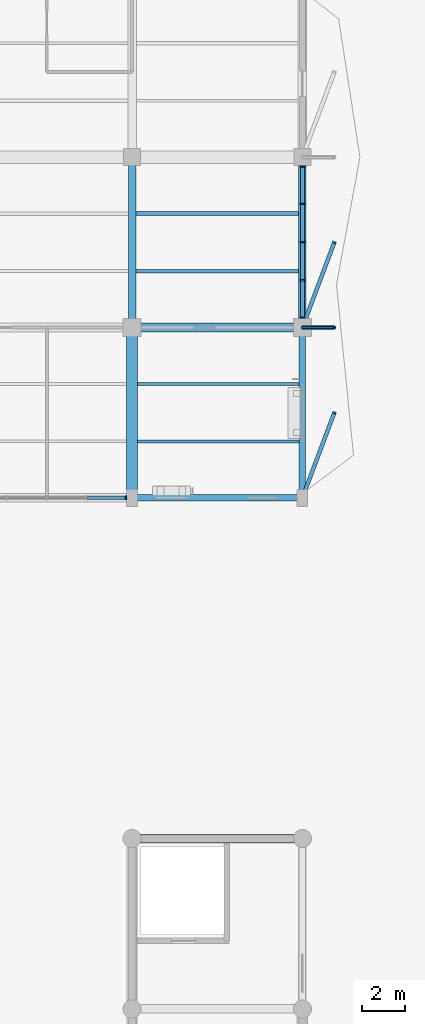
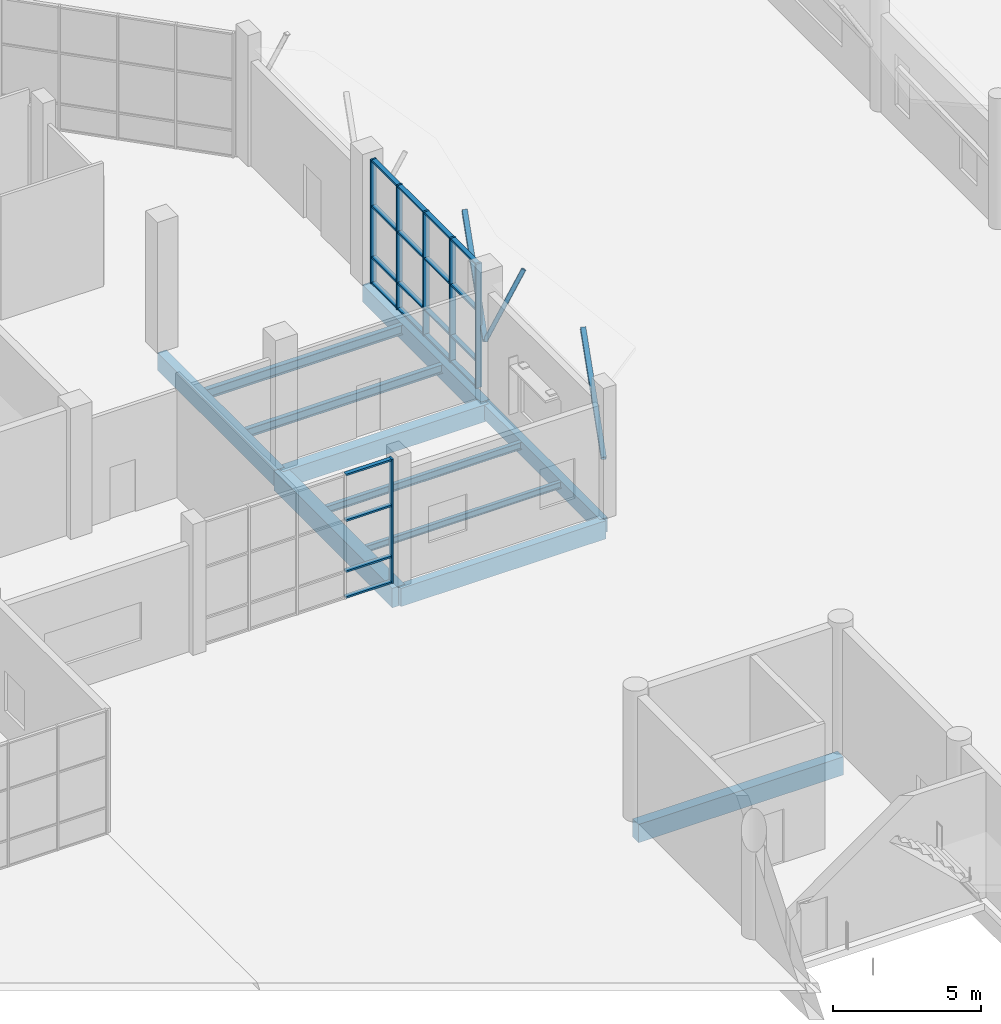
# One storey, part 43 of 123: 29 members, 11 beams, 2 elements without a shape of their own.
"""IFC4 building model written with IfcOpenShell, lengths in metres."""

from ifc_helpers import new_model, si_unit, direction, frame, origin, origin_2d, place, context, subcontext, project, spatial, rectangle, hollow_rectangle, hollow_circle, i_section, extrude, material, material_profile, profile_set, type_object, element, aggregate, save


model = new_model("IFC4")

# Units and contexts
model_context = context("Model", 3, precision=1e-05, world=origin(), true_north=direction((0.0, 1.0)))
body_context = subcontext(model_context, "Body", "Model", "MODEL_VIEW")
ifc_project = project(units=[si_unit("LENGTHUNIT", "METRE"), si_unit("AREAUNIT", "SQUARE_METRE"), si_unit("VOLUMEUNIT", "CUBIC_METRE"), si_unit("PLANEANGLEUNIT", "RADIAN"), si_unit("MASSUNIT", "GRAM", prefix="KILO")], contexts=[model_context])

# Site, building, storey
site_placement = place(None, origin())
site = spatial("IfcSite", under=ifc_project, at=site_placement, CompositionType="ELEMENT")
building_placement = place(site_placement, origin())
building = spatial("IfcBuilding", under=site, at=building_placement, Name="Tenunan Teduh Sports Hall", CompositionType="ELEMENT")
storey_placement = place(building_placement, origin())
storey = spatial("IfcBuildingStorey", under=building, at=storey_placement, Name="L00", CompositionType="ELEMENT", Elevation=0.0)

# Beams
ifc_material_1 = material(Name="Concrete C40/50", Category="concrete")
ifc_material_profile_1 = material_profile(ifc_material_1, rectangle(XDim=0.300048828125, YDim=0.60009765625, at=origin_2d()), Name="RCB 300x600")
ifc_profile_set_1 = profile_set([ifc_material_profile_1], Name="Concrete C40/50")
beam_type_1 = type_object("IfcBeamType", Name="BM-RC-300x600", PredefinedType="BEAM", material=ifc_profile_set_1)
beam_1_placement = place(storey_placement, frame((78.0, 86.0, -0.580078125), z_axis=(0.0, 1.0, 0.0), x_axis=(-1.0, 0.0, 0.0)))
element("IfcBeam", 1, at=beam_1_placement, inside=storey, type_object=beam_type_1, Name="BM-B-03-L00-0825", PredefinedType="BEAM", context=body_context, shape_type="SweptSolid", body=[
    extrude(rectangle(XDim=0.300048828125, YDim=0.60009765625, at=origin_2d()), origin(), (0.0, 0.0, 1.0), 8.0),
])
ifc_material_2 = material(Name="Concrete C40/50", Category="concrete")
ifc_material_profile_2 = material_profile(ifc_material_2, rectangle(XDim=0.35009765625, YDim=0.699951171875, at=origin_2d()), Name="RCB 350x700")
ifc_profile_set_2 = profile_set([ifc_material_profile_2], Name="Concrete C40/50")
beam_type_2 = type_object("IfcBeamType", Name="BM-RC-350x700", PredefinedType="BEAM", material=ifc_profile_set_2)
beam_2_placement = place(storey_placement, frame((78.0, 94.0, -0.6298828125), z_axis=(0.0, 1.0, 0.0), x_axis=(-1.0, 0.0, 0.0)))
element("IfcBeam", 2, at=beam_2_placement, inside=storey, type_object=beam_type_2, Name="BM-B-06-L00-0826", PredefinedType="BEAM", context=body_context, shape_type="SweptSolid", body=[
    extrude(rectangle(XDim=0.35009765625, YDim=0.699951171875, at=origin_2d()), origin(), (0.0, 0.0, 1.0), 8.0),
])
ifc_material_3 = material(Name="Concrete C40/50", Category="concrete")
ifc_material_profile_3 = material_profile(ifc_material_3, rectangle(XDim=0.39990234375, YDim=0.699951171875, at=origin_2d()), Name="RCB 400x700")
ifc_profile_set_3 = profile_set([ifc_material_profile_3], Name="Concrete C40/50")
beam_type_3 = type_object("IfcBeamType", Name="BM-RC-400x700", PredefinedType="BEAM", material=ifc_profile_set_3)
beam_3_placement = place(storey_placement, frame((70.0, 94.0, -0.6298828125), z_axis=(1.0, 0.0, 0.0), x_axis=(0.0, 1.0, 0.0)))
element("IfcBeam", 3, at=beam_3_placement, inside=storey, type_object=beam_type_3, Name="BM-B-08-L00-0707", PredefinedType="BEAM", context=body_context, shape_type="SweptSolid", body=[
    extrude(rectangle(XDim=0.39990234375, YDim=0.699951171875, at=origin_2d()), origin(), (0.0, 0.0, 1.0), 8.0),
])
ifc_material_4 = material(Name="Concrete C40/50", Category="concrete")
ifc_material_profile_4 = material_profile(ifc_material_4, rectangle(XDim=0.39990234375, YDim=0.75, at=origin_2d()), Name="RCB 400x750")
ifc_profile_set_4 = profile_set([ifc_material_profile_4], Name="Concrete C40/50")
beam_type_4 = type_object("IfcBeamType", Name="BM-RC-400x750", PredefinedType="BEAM", material=ifc_profile_set_4)
beam_4_placement = place(storey_placement, frame((70.0, 70.0, -0.655029296875), z_axis=(1.0, 0.0, 0.0), x_axis=(0.0, 1.0, 0.0)))
element("IfcBeam", 4, at=beam_4_placement, inside=storey, type_object=beam_type_4, Name="BM-B-09-L00-0671", PredefinedType="BEAM", context=body_context, shape_type="SweptSolid", body=[
    extrude(rectangle(XDim=0.39990234375, YDim=0.75, at=origin_2d()), origin(), (0.0, 0.0, 1.0), 8.0),
])
ifc_material_5 = material(Name="Concrete C40/50", Category="concrete")
ifc_material_profile_5 = material_profile(ifc_material_5, rectangle(XDim=0.5, YDim=0.800048828125, at=origin_2d()), Name="RCB 500x800")
ifc_profile_set_5 = profile_set([ifc_material_profile_5], Name="Concrete C40/50")
beam_type_5 = type_object("IfcBeamType", Name="BM-RC-500x800", PredefinedType="BEAM", material=ifc_profile_set_5)
beam_5_placement = place(storey_placement, frame((70.0, 86.0, -0.679931640625), z_axis=(0.0, 1.0, 0.0), x_axis=(-1.0, 0.0, 0.0)))
element("IfcBeam", 5, at=beam_5_placement, inside=storey, type_object=beam_type_5, Name="BM-B-14-L00-0817", PredefinedType="BEAM", context=body_context, shape_type="SweptSolid", body=[
    extrude(rectangle(XDim=0.5, YDim=0.800048828125, at=origin_2d()), origin(), (0.0, 0.0, 1.0), 8.0),
])
ifc_material_6 = material(Name="Concrete C40/50", Category="concrete")
ifc_material_profile_6 = material_profile(ifc_material_6, rectangle(XDim=0.300048828125, YDim=0.75, at=origin_2d()), Name="SPB 300x750")
ifc_profile_set_6 = profile_set([ifc_material_profile_6], Name="Concrete C40/50")
beam_type_6 = type_object("IfcBeamType", Name="BM-SP-300x750", PredefinedType="SPANDREL", material=ifc_profile_set_6)
beam_6_placement = place(storey_placement, frame((70.0, 86.0, -0.655029296875), z_axis=(1.0, 0.0, 0.0), x_axis=(0.0, 1.0, 0.0)))
element("IfcBeam", 6, at=beam_6_placement, inside=storey, type_object=beam_type_6, Name="BM-SP-01-L00-0691", PredefinedType="SPANDREL", context=body_context, shape_type="SweptSolid", body=[
    extrude(rectangle(XDim=0.300048828125, YDim=0.75, at=origin_2d()), origin(), (0.0, 0.0, 1.0), 8.0),
])
ifc_material_7 = material(Name="Concrete C40/50", Category="concrete")
ifc_material_profile_7 = material_profile(ifc_material_7, rectangle(XDim=0.35009765625, YDim=0.719970703125, at=origin_2d()), Name="TB 350x720")
ifc_profile_set_7 = profile_set([ifc_material_profile_7], Name="Concrete C40/50")
beam_type_7 = type_object("IfcBeamType", Name="BM-TB-350x720", PredefinedType="T_BEAM", material=ifc_profile_set_7)
beam_7_placement = place(storey_placement, frame((70.0, 94.0, -0.639892578125), z_axis=(0.0, 1.0, 0.0), x_axis=(-1.0, 0.0, 0.0)))
element("IfcBeam", 7, at=beam_7_placement, inside=storey, type_object=beam_type_7, Name="BM-TB-01-L00-0818", PredefinedType="T_BEAM", context=body_context, shape_type="SweptSolid", body=[
    extrude(rectangle(XDim=0.35009765625, YDim=0.719970703125, at=origin_2d()), origin(), (0.0, 0.0, 1.0), 8.0),
])

# Curtain wall, member
ifc_material_8 = material(Name="Anodised aluminium", Category="aluminium")
curtain_wall_type = type_object("IfcCurtainWallType", Name="CW-UNIT-1", PredefinedType="NOTDEFINED", material=ifc_material_8)
curtain_wall_1_placement = place(storey_placement, origin())
curtain_wall_1 = element("IfcCurtainWall", 8, at=curtain_wall_1_placement, inside=storey, type_object=curtain_wall_type, Name="CW-CWM-200-L00-192", PredefinedType="NOTDEFINED")
ifc_material_9 = material(Name="Anodised aluminium", Category="aluminium")
ifc_material_profile_8 = material_profile(ifc_material_9, rectangle(XDim=0.070068359375, YDim=0.199951171875, at=origin_2d()), Name="CWM 70x200")
ifc_profile_set_8 = profile_set([ifc_material_profile_8], Name="Anodised aluminium")
member_type_1 = type_object("IfcMemberType", Name="CWM-200", PredefinedType="MULLION", material=ifc_profile_set_8)
member_1_placement = place(storey_placement, frame((69.715087890625, 86.0, 0.0), z_axis=(0.0, 0.0, 1.0), x_axis=(1.0, 0.0, 0.0)))
member_1 = element("IfcMember", 9, at=member_1_placement, type_object=member_type_1, Name="CW-01 mullion 5", PredefinedType="MULLION", context=body_context, shape_type="SweptSolid", body=[
    extrude(rectangle(XDim=0.070068359375, YDim=0.199951171875, at=origin_2d()), origin(), (0.0, 0.0, 1.0), 5.1201171875),
])

# Curtain wall, members
curtain_wall_2_placement = place(storey_placement, origin())
curtain_wall_2 = element("IfcCurtainWall", 10, at=curtain_wall_2_placement, inside=storey, type_object=curtain_wall_type, Name="CW-CWM-220-L00-193", PredefinedType="NOTDEFINED")
ifc_material_10 = material(Name="Anodised aluminium", Category="aluminium")
ifc_material_profile_9 = material_profile(ifc_material_10, rectangle(XDim=0.074951171875, YDim=0.219970703125, at=origin_2d()), Name="CWM 75x220")
ifc_profile_set_9 = profile_set([ifc_material_profile_9], Name="Anodised aluminium")
member_type_2 = type_object("IfcMemberType", Name="CWM-220", PredefinedType="MULLION", material=ifc_profile_set_9)
member_2_placement = place(storey_placement, frame((78.0, 94.46240234375, 0.0), z_axis=(0.0, 0.0, 1.0), x_axis=(0.0, 1.0, 0.0)))
member_2 = element("IfcMember", 11, at=member_2_placement, type_object=member_type_2, Name="CW-01 mullion 1", PredefinedType="MULLION", context=body_context, shape_type="SweptSolid", body=[
    extrude(rectangle(XDim=0.074951171875, YDim=0.219970703125, at=origin_2d()), origin(), (0.0, 0.0, 1.0), 5.1201171875),
])
member_3_placement = place(storey_placement, frame((78.0, 96.21875, 0.0), z_axis=(0.0, 0.0, 1.0), x_axis=(0.0, 1.0, 0.0)))
member_3 = element("IfcMember", 12, at=member_3_placement, type_object=member_type_2, Name="CW-01 mullion 2", PredefinedType="MULLION", context=body_context, shape_type="SweptSolid", body=[
    extrude(rectangle(XDim=0.074951171875, YDim=0.219970703125, at=origin_2d()), origin(), (0.0, 0.0, 1.0), 5.1201171875),
])
member_4_placement = place(storey_placement, frame((78.0, 98.012451171875, 0.0), z_axis=(0.0, 0.0, 1.0), x_axis=(0.0, 1.0, 0.0)))
member_4 = element("IfcMember", 13, at=member_4_placement, type_object=member_type_2, Name="CW-01 mullion 3", PredefinedType="MULLION", context=body_context, shape_type="SweptSolid", body=[
    extrude(rectangle(XDim=0.074951171875, YDim=0.219970703125, at=origin_2d()), origin(), (0.0, 0.0, 1.0), 5.1201171875),
])
member_5_placement = place(storey_placement, frame((78.0, 99.80615234375, 0.0), z_axis=(0.0, 0.0, 1.0), x_axis=(0.0, 1.0, 0.0)))
member_5 = element("IfcMember", 14, at=member_5_placement, type_object=member_type_2, Name="CW-01 mullion 4", PredefinedType="MULLION", context=body_context, shape_type="SweptSolid", body=[
    extrude(rectangle(XDim=0.074951171875, YDim=0.219970703125, at=origin_2d()), origin(), (0.0, 0.0, 1.0), 5.1201171875),
])
member_6_placement = place(storey_placement, frame((78.0, 101.5625, 0.0), z_axis=(0.0, 0.0, 1.0), x_axis=(0.0, 1.0, 0.0)))
member_6 = element("IfcMember", 15, at=member_6_placement, type_object=member_type_2, Name="CW-01 mullion 5", PredefinedType="MULLION", context=body_context, shape_type="SweptSolid", body=[
    extrude(rectangle(XDim=0.074951171875, YDim=0.219970703125, at=origin_2d()), origin(), (0.0, 0.0, 1.0), 5.1201171875),
])
ifc_material_11 = material(Name="Anodised aluminium", Category="aluminium")
ifc_material_profile_10 = material_profile(ifc_material_11, rectangle(XDim=0.074951171875, YDim=0.179931640625, at=origin_2d()), Name="CWT 75x180")
ifc_profile_set_10 = profile_set([ifc_material_profile_10], Name="Anodised aluminium")
member_type_3 = type_object("IfcMemberType", Name="CWT-180", PredefinedType="USERDEFINED", material=ifc_profile_set_10)
member_7_placement = place(storey_placement, frame((78.0, 94.5, 0.03759765625), z_axis=(0.0, 1.0, 0.0), x_axis=(0.0, 0.0, 1.0)))
member_7 = element("IfcMember", 16, at=member_7_placement, type_object=member_type_3, Name="CW-01 transom 1.1", ObjectType="TRANSOM", PredefinedType="USERDEFINED", context=body_context, shape_type="SweptSolid", body=[
    extrude(rectangle(XDim=0.074951171875, YDim=0.179931640625, at=origin_2d()), origin(), (0.0, 0.0, 1.0), 1.68115234375),
])
member_8_placement = place(storey_placement, frame((78.0, 94.5, 1.10009765625), z_axis=(0.0, 1.0, 0.0), x_axis=(0.0, 0.0, 1.0)))
member_8 = element("IfcMember", 17, at=member_8_placement, type_object=member_type_3, Name="CW-01 transom 1.2", ObjectType="TRANSOM", PredefinedType="USERDEFINED", context=body_context, shape_type="SweptSolid", body=[
    extrude(rectangle(XDim=0.074951171875, YDim=0.179931640625, at=origin_2d()), origin(), (0.0, 0.0, 1.0), 1.68115234375),
])
member_9_placement = place(storey_placement, frame((78.0, 94.5, 3.199951171875), z_axis=(0.0, 1.0, 0.0), x_axis=(0.0, 0.0, 1.0)))
member_9 = element("IfcMember", 18, at=member_9_placement, type_object=member_type_3, Name="CW-01 transom 1.3", ObjectType="TRANSOM", PredefinedType="USERDEFINED", context=body_context, shape_type="SweptSolid", body=[
    extrude(rectangle(XDim=0.074951171875, YDim=0.179931640625, at=origin_2d()), origin(), (0.0, 0.0, 1.0), 1.68115234375),
])
member_10_placement = place(storey_placement, frame((78.0, 94.5, 5.08251953125), z_axis=(0.0, 1.0, 0.0), x_axis=(0.0, 0.0, 1.0)))
member_10 = element("IfcMember", 19, at=member_10_placement, type_object=member_type_3, Name="CW-01 transom 1.4", ObjectType="TRANSOM", PredefinedType="USERDEFINED", context=body_context, shape_type="SweptSolid", body=[
    extrude(rectangle(XDim=0.074951171875, YDim=0.179931640625, at=origin_2d()), origin(), (0.0, 0.0, 1.0), 1.68115234375),
])
member_11_placement = place(storey_placement, frame((78.0, 96.25634765625, 0.03759765625), z_axis=(0.0, 1.0, 0.0), x_axis=(0.0, 0.0, 1.0)))
member_11 = element("IfcMember", 20, at=member_11_placement, type_object=member_type_3, Name="CW-01 transom 2.1", ObjectType="TRANSOM", PredefinedType="USERDEFINED", context=body_context, shape_type="SweptSolid", body=[
    extrude(rectangle(XDim=0.074951171875, YDim=0.179931640625, at=origin_2d()), origin(), (0.0, 0.0, 1.0), 1.71875),
])
member_12_placement = place(storey_placement, frame((78.0, 96.25634765625, 1.10009765625), z_axis=(0.0, 1.0, 0.0), x_axis=(0.0, 0.0, 1.0)))
member_12 = element("IfcMember", 21, at=member_12_placement, type_object=member_type_3, Name="CW-01 transom 2.2", ObjectType="TRANSOM", PredefinedType="USERDEFINED", context=body_context, shape_type="SweptSolid", body=[
    extrude(rectangle(XDim=0.074951171875, YDim=0.179931640625, at=origin_2d()), origin(), (0.0, 0.0, 1.0), 1.71875),
])
member_13_placement = place(storey_placement, frame((78.0, 96.25634765625, 3.199951171875), z_axis=(0.0, 1.0, 0.0), x_axis=(0.0, 0.0, 1.0)))
member_13 = element("IfcMember", 22, at=member_13_placement, type_object=member_type_3, Name="CW-01 transom 2.3", ObjectType="TRANSOM", PredefinedType="USERDEFINED", context=body_context, shape_type="SweptSolid", body=[
    extrude(rectangle(XDim=0.074951171875, YDim=0.179931640625, at=origin_2d()), origin(), (0.0, 0.0, 1.0), 1.71875),
])
member_14_placement = place(storey_placement, frame((78.0, 96.25634765625, 5.08251953125), z_axis=(0.0, 1.0, 0.0), x_axis=(0.0, 0.0, 1.0)))
member_14 = element("IfcMember", 23, at=member_14_placement, type_object=member_type_3, Name="CW-01 transom 2.4", ObjectType="TRANSOM", PredefinedType="USERDEFINED", context=body_context, shape_type="SweptSolid", body=[
    extrude(rectangle(XDim=0.074951171875, YDim=0.179931640625, at=origin_2d()), origin(), (0.0, 0.0, 1.0), 1.71875),
])
member_15_placement = place(storey_placement, frame((78.0, 98.050048828125, 0.03759765625), z_axis=(0.0, 1.0, 0.0), x_axis=(0.0, 0.0, 1.0)))
member_15 = element("IfcMember", 24, at=member_15_placement, type_object=member_type_3, Name="CW-01 transom 3.1", ObjectType="TRANSOM", PredefinedType="USERDEFINED", context=body_context, shape_type="SweptSolid", body=[
    extrude(rectangle(XDim=0.074951171875, YDim=0.179931640625, at=origin_2d()), origin(), (0.0, 0.0, 1.0), 1.71875),
])
member_16_placement = place(storey_placement, frame((78.0, 98.050048828125, 1.10009765625), z_axis=(0.0, 1.0, 0.0), x_axis=(0.0, 0.0, 1.0)))
member_16 = element("IfcMember", 25, at=member_16_placement, type_object=member_type_3, Name="CW-01 transom 3.2", ObjectType="TRANSOM", PredefinedType="USERDEFINED", context=body_context, shape_type="SweptSolid", body=[
    extrude(rectangle(XDim=0.074951171875, YDim=0.179931640625, at=origin_2d()), origin(), (0.0, 0.0, 1.0), 1.71875),
])
member_17_placement = place(storey_placement, frame((78.0, 98.050048828125, 3.199951171875), z_axis=(0.0, 1.0, 0.0), x_axis=(0.0, 0.0, 1.0)))
member_17 = element("IfcMember", 26, at=member_17_placement, type_object=member_type_3, Name="CW-01 transom 3.3", ObjectType="TRANSOM", PredefinedType="USERDEFINED", context=body_context, shape_type="SweptSolid", body=[
    extrude(rectangle(XDim=0.074951171875, YDim=0.179931640625, at=origin_2d()), origin(), (0.0, 0.0, 1.0), 1.71875),
])
member_18_placement = place(storey_placement, frame((78.0, 98.050048828125, 5.08251953125), z_axis=(0.0, 1.0, 0.0), x_axis=(0.0, 0.0, 1.0)))
member_18 = element("IfcMember", 27, at=member_18_placement, type_object=member_type_3, Name="CW-01 transom 3.4", ObjectType="TRANSOM", PredefinedType="USERDEFINED", context=body_context, shape_type="SweptSolid", body=[
    extrude(rectangle(XDim=0.074951171875, YDim=0.179931640625, at=origin_2d()), origin(), (0.0, 0.0, 1.0), 1.71875),
])
member_19_placement = place(storey_placement, frame((78.0, 99.84375, 0.03759765625), z_axis=(0.0, 1.0, 0.0), x_axis=(0.0, 0.0, 1.0)))
member_19 = element("IfcMember", 28, at=member_19_placement, type_object=member_type_3, Name="CW-01 transom 4.1", ObjectType="TRANSOM", PredefinedType="USERDEFINED", context=body_context, shape_type="SweptSolid", body=[
    extrude(rectangle(XDim=0.074951171875, YDim=0.179931640625, at=origin_2d()), origin(), (0.0, 0.0, 1.0), 1.68115234375),
])
member_20_placement = place(storey_placement, frame((78.0, 99.84375, 1.10009765625), z_axis=(0.0, 1.0, 0.0), x_axis=(0.0, 0.0, 1.0)))
member_20 = element("IfcMember", 29, at=member_20_placement, type_object=member_type_3, Name="CW-01 transom 4.2", ObjectType="TRANSOM", PredefinedType="USERDEFINED", context=body_context, shape_type="SweptSolid", body=[
    extrude(rectangle(XDim=0.074951171875, YDim=0.179931640625, at=origin_2d()), origin(), (0.0, 0.0, 1.0), 1.68115234375),
])
member_21_placement = place(storey_placement, frame((78.0, 99.84375, 3.199951171875), z_axis=(0.0, 1.0, 0.0), x_axis=(0.0, 0.0, 1.0)))
member_21 = element("IfcMember", 30, at=member_21_placement, type_object=member_type_3, Name="CW-01 transom 4.3", ObjectType="TRANSOM", PredefinedType="USERDEFINED", context=body_context, shape_type="SweptSolid", body=[
    extrude(rectangle(XDim=0.074951171875, YDim=0.179931640625, at=origin_2d()), origin(), (0.0, 0.0, 1.0), 1.68115234375),
])
member_22_placement = place(storey_placement, frame((78.0, 99.84375, 5.08251953125), z_axis=(0.0, 1.0, 0.0), x_axis=(0.0, 0.0, 1.0)))
member_22 = element("IfcMember", 31, at=member_22_placement, type_object=member_type_3, Name="CW-01 transom 4.4", ObjectType="TRANSOM", PredefinedType="USERDEFINED", context=body_context, shape_type="SweptSolid", body=[
    extrude(rectangle(XDim=0.074951171875, YDim=0.179931640625, at=origin_2d()), origin(), (0.0, 0.0, 1.0), 1.68115234375),
])
aggregate(curtain_wall_2, [member_2, member_3, member_4, member_5, member_6, member_7, member_8, member_9, member_10, member_11, member_12, member_13, member_14, member_15, member_16, member_17, member_18, member_19, member_20, member_21, member_22])

# Member
ifc_material_12 = material(Name="Anodised aluminium", Category="aluminium")
ifc_material_profile_11 = material_profile(ifc_material_12, rectangle(XDim=0.070068359375, YDim=0.159912109375, at=origin_2d()), Name="CWT 70x160")
ifc_profile_set_11 = profile_set([ifc_material_profile_11], Name="Anodised aluminium")
member_type_4 = type_object("IfcMemberType", Name="CWT-200", PredefinedType="USERDEFINED", material=ifc_profile_set_11)
member_23_placement = place(storey_placement, frame((67.909912109375, 86.0, 0.034912109375), z_axis=(1.0, 0.0, 0.0), x_axis=(0.0, 0.0, 1.0)))
member_23 = element("IfcMember", 32, at=member_23_placement, type_object=member_type_4, Name="CW-01 transom 4.1", ObjectType="TRANSOM", PredefinedType="USERDEFINED", context=body_context, shape_type="SweptSolid", body=[
    extrude(rectangle(XDim=0.070068359375, YDim=0.159912109375, at=origin_2d()), origin(), (0.0, 0.0, 1.0), 1.77001953125),
])

member_24_placement = place(storey_placement, frame((67.909912109375, 86.0, 1.10009765625), z_axis=(1.0, 0.0, 0.0), x_axis=(0.0, 0.0, 1.0)))
member_24 = element("IfcMember", 33, at=member_24_placement, type_object=member_type_4, Name="CW-01 transom 4.2", ObjectType="TRANSOM", PredefinedType="USERDEFINED", context=body_context, shape_type="SweptSolid", body=[
    extrude(rectangle(XDim=0.070068359375, YDim=0.159912109375, at=origin_2d()), origin(), (0.0, 0.0, 1.0), 1.77001953125),
])

member_25_placement = place(storey_placement, frame((67.909912109375, 86.0, 3.199951171875), z_axis=(1.0, 0.0, 0.0), x_axis=(0.0, 0.0, 1.0)))
member_25 = element("IfcMember", 34, at=member_25_placement, type_object=member_type_4, Name="CW-01 transom 4.3", ObjectType="TRANSOM", PredefinedType="USERDEFINED", context=body_context, shape_type="SweptSolid", body=[
    extrude(rectangle(XDim=0.070068359375, YDim=0.159912109375, at=origin_2d()), origin(), (0.0, 0.0, 1.0), 1.77001953125),
])

member_26_placement = place(storey_placement, frame((67.909912109375, 86.0, 5.0849609375), z_axis=(1.0, 0.0, 0.0), x_axis=(0.0, 0.0, 1.0)))
member_26 = element("IfcMember", 35, at=member_26_placement, type_object=member_type_4, Name="CW-01 transom 4.4", ObjectType="TRANSOM", PredefinedType="USERDEFINED", context=body_context, shape_type="SweptSolid", body=[
    extrude(rectangle(XDim=0.070068359375, YDim=0.159912109375, at=origin_2d()), origin(), (0.0, 0.0, 1.0), 1.77001953125),
])

aggregate(curtain_wall_1, [member_1, member_23, member_24, member_25, member_26])

# Beams
ifc_material_13 = material(Name="Steel S355", Category="steel")
ifc_material_profile_12 = material_profile(ifc_material_13, i_section(OverallWidth=0.135009765625, OverallDepth=0.27001953125, WebThickness=0.006591796875, FlangeThickness=0.01025390625, FilletRadius=0.014892578125, at=origin_2d()), Name="IPE 270")
ifc_profile_set_12 = profile_set([ifc_material_profile_12], Name="Steel S355")
beam_type_8 = type_object("IfcBeamType", Name="JST-IPE270", PredefinedType="JOIST", material=ifc_profile_set_12)
beam_8_placement = place(storey_placement, frame((70.25, 88.64990234375, -0.4150390625), z_axis=(1.0, 0.0, 0.0), x_axis=(0.0, 1.0, 0.0)))
element("IfcBeam", 36, at=beam_8_placement, inside=storey, type_object=beam_type_8, Name="BM-J-03-L00-0970", PredefinedType="JOIST", context=body_context, shape_type="SweptSolid", body=[
    extrude(i_section(OverallWidth=0.135009765625, OverallDepth=0.27001953125, WebThickness=0.006591796875, FlangeThickness=0.01025390625, FilletRadius=0.014892578125, at=origin_2d()), origin(), (0.0, 0.0, 1.0), 7.60009765625),
])
ifc_material_14 = material(Name="Steel S355", Category="steel")
ifc_material_profile_13 = material_profile(ifc_material_14, i_section(OverallWidth=0.14990234375, OverallDepth=0.300048828125, WebThickness=0.007080078125, FlangeThickness=0.0107421875, FilletRadius=0.014892578125, at=origin_2d()), Name="IPE 300")
ifc_profile_set_13 = profile_set([ifc_material_profile_13], Name="Steel S355")
beam_type_9 = type_object("IfcBeamType", Name="JST-IPE300", PredefinedType="JOIST", material=ifc_profile_set_13)
beam_9_placement = place(storey_placement, frame((70.25, 91.35009765625, -0.429931640625), z_axis=(1.0, 0.0, 0.0), x_axis=(0.0, 1.0, 0.0)))
element("IfcBeam", 37, at=beam_9_placement, inside=storey, type_object=beam_type_9, Name="BM-J-04-L00-0971", PredefinedType="JOIST", context=body_context, shape_type="SweptSolid", body=[
    extrude(i_section(OverallWidth=0.14990234375, OverallDepth=0.300048828125, WebThickness=0.007080078125, FlangeThickness=0.0107421875, FilletRadius=0.014892578125, at=origin_2d()), origin(), (0.0, 0.0, 1.0), 7.60009765625),
])
ifc_material_15 = material(Name="Steel S355", Category="steel")
ifc_material_profile_14 = material_profile(ifc_material_15, i_section(OverallWidth=0.169921875, OverallDepth=0.360107421875, WebThickness=0.008056640625, FlangeThickness=0.0126953125, FilletRadius=0.01806640625, at=origin_2d()), Name="IPE 360")
ifc_profile_set_14 = profile_set([ifc_material_profile_14], Name="Steel S355")
beam_type_10 = type_object("IfcBeamType", Name="JST-IPE360", PredefinedType="JOIST", material=ifc_profile_set_14)
beam_10_placement = place(storey_placement, frame((70.175048828125, 96.64990234375, -0.4599609375), z_axis=(1.0, 0.0, 0.0), x_axis=(0.0, 1.0, 0.0)))
element("IfcBeam", 38, at=beam_10_placement, inside=storey, type_object=beam_type_10, Name="BM-J-05-L00-0972", PredefinedType="JOIST", context=body_context, shape_type="SweptSolid", body=[
    extrude(i_section(OverallWidth=0.169921875, OverallDepth=0.360107421875, WebThickness=0.008056640625, FlangeThickness=0.0126953125, FilletRadius=0.01806640625, at=origin_2d()), origin(), (0.0, 0.0, 1.0), 7.64990234375),
])
ifc_material_16 = material(Name="Steel S355", Category="steel")
ifc_material_profile_15 = material_profile(ifc_material_16, i_section(OverallWidth=0.179931640625, OverallDepth=0.39990234375, WebThickness=0.008544921875, FlangeThickness=0.013427734375, FilletRadius=0.02099609375, at=origin_2d()), Name="IPE 400")
ifc_profile_set_15 = profile_set([ifc_material_profile_15], Name="Steel S355")
beam_type_11 = type_object("IfcBeamType", Name="JST-IPE400", PredefinedType="JOIST", material=ifc_profile_set_15)
beam_11_placement = place(storey_placement, frame((70.175048828125, 99.35009765625, -0.47998046875), z_axis=(1.0, 0.0, 0.0), x_axis=(0.0, 1.0, 0.0)))
element("IfcBeam", 39, at=beam_11_placement, inside=storey, type_object=beam_type_11, Name="BM-J-06-L00-0973", PredefinedType="JOIST", context=body_context, shape_type="SweptSolid", body=[
    extrude(i_section(OverallWidth=0.179931640625, OverallDepth=0.39990234375, WebThickness=0.008544921875, FlangeThickness=0.013427734375, FilletRadius=0.02099609375, at=origin_2d()), origin(), (0.0, 0.0, 1.0), 7.64990234375),
])

# Members
ifc_material_17 = material(Name="Steel S355", Category="steel")
ifc_material_profile_16 = material_profile(ifc_material_17, hollow_circle(Radius=0.084228515625, WallThickness=0.008056640625, at=origin_2d()), Name="CHS 168.3x8.0")
ifc_profile_set_16 = profile_set([ifc_material_profile_16], Name="Steel S355")
member_type_5 = type_object("IfcMemberType", Name="MEM-BR-CHS168", PredefinedType="BRACE", material=ifc_profile_set_16)
member_27_placement = place(storey_placement, frame((78.0, 94.0, 2.199951171875), z_axis=(0.526812074832, 0.0, 0.849981786753), x_axis=(0.0, 1.0, 0.0)))
element("IfcMember", 40, at=member_27_placement, inside=storey, type_object=member_type_5, Name="MEM-GD-04-L00-1141", PredefinedType="BRACE", context=body_context, shape_type="SweptSolid", body=[
    extrude(hollow_circle(Radius=0.084228515625, WallThickness=0.008056640625, at=origin_2d()), origin(), (0.0, 0.0, 1.0), 2.847412109375),
])
ifc_material_18 = material(Name="Steel S355", Category="steel")
ifc_material_profile_17 = material_profile(ifc_material_18, hollow_rectangle(XDim=0.179931640625, YDim=0.179931640625, WallThickness=0.010009765625, at=origin_2d()), Name="SHS 180x180x10.0")
ifc_profile_set_17 = profile_set([ifc_material_profile_17], Name="Steel S355")
member_type_6 = type_object("IfcMemberType", Name="MEM-ST-SHS180", PredefinedType="STRUT", material=ifc_profile_set_17)
for number, where, z_axis, x_axis, name in (
    (41, (78.0, 86.0, 2.199951171875), (0.3055046618, 0.814679098133, 0.492914666736), (-0.936329177569, 0.351123441588, 0.0), "MEM-VS-03-L00-1140"),
    (42, (78.0, 94.0, 2.199951171875), (0.3055046618, 0.814679098133, 0.492914666736), (-0.936329177569, 0.351123441588, 0.0), "MEM-VS-03-L00-1142"),
):
    element("IfcMember", number, at=place(storey_placement, frame(where, z_axis=z_axis, x_axis=x_axis)), inside=storey, type_object=member_type_6, Name=name, PredefinedType="STRUT", context=body_context, shape_type="SweptSolid", body=[
        extrude(hollow_rectangle(XDim=0.179931640625, YDim=0.179931640625, WallThickness=0.010009765625, at=origin_2d()), origin(), (0.0, 0.0, 1.0), 4.909912109375),
    ])

save(model, "model.ifc")
